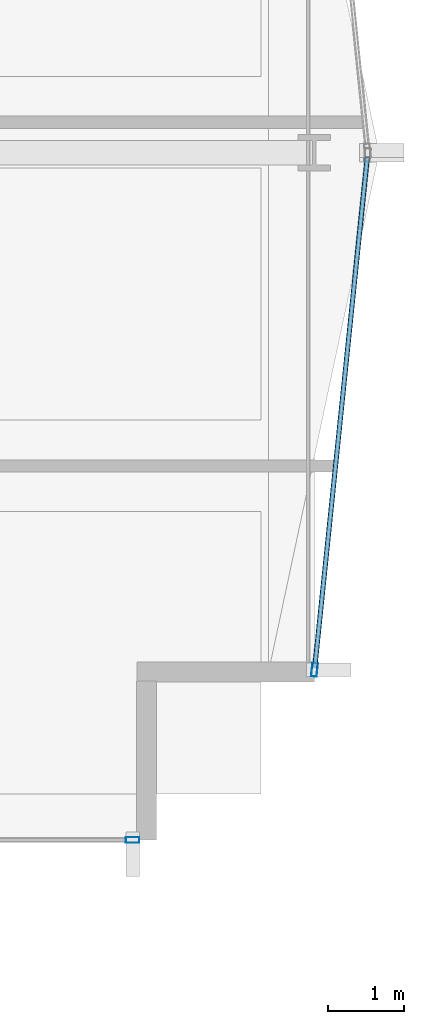
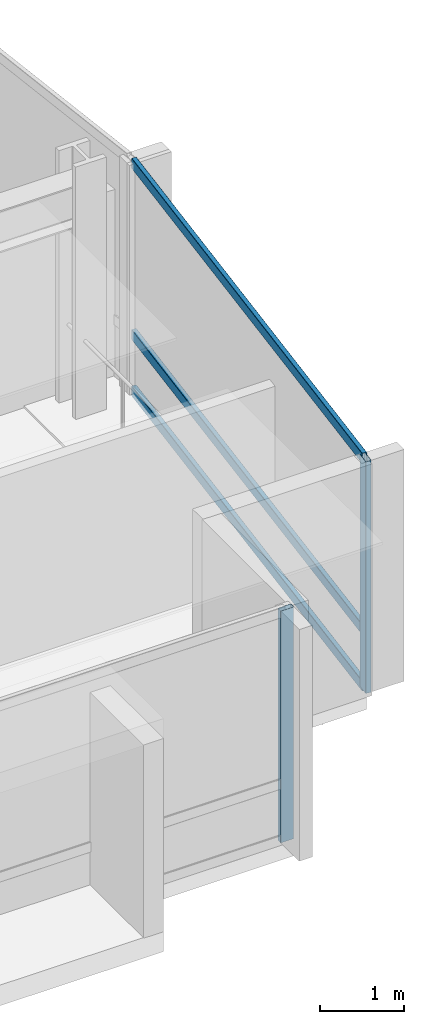
# One storey, part 14 of 35: 5 members, 2 elements without a shape of their own.
"""IFC4 building model written with IfcOpenShell, lengths in metres."""

from ifc_helpers import new_model, si_unit, direction, frame, origin, origin_2d, place, context, subcontext, project, spatial, hollow_rectangle, extrude, material, layer, layer_set, material_profile, profile_set, type_object, element, aggregate, save


model = new_model("IFC4")

# Units and contexts
model_context = context("Model", 3, precision=1e-05, world=origin(), true_north=direction((0.0, 1.0)))
body_context = subcontext(model_context, "Body", "Model", "MODEL_VIEW")
ifc_project = project(units=[si_unit("LENGTHUNIT", "METRE"), si_unit("AREAUNIT", "SQUARE_METRE"), si_unit("VOLUMEUNIT", "CUBIC_METRE"), si_unit("PLANEANGLEUNIT", "RADIAN"), si_unit("MASSUNIT", "GRAM", prefix="KILO")], contexts=[model_context])

# Site, building, storey
site_placement = place(None, origin())
site = spatial("IfcSite", under=ifc_project, at=site_placement, CompositionType="ELEMENT")
building_placement = place(site_placement, origin())
building = spatial("IfcBuilding", under=site, at=building_placement, Name="Solvaryn Broadcast Tower", CompositionType="ELEMENT")
storey_placement = place(building_placement, frame((0.0, 0.0, 80.39990234375)))
storey = spatial("IfcBuildingStorey", under=building, at=storey_placement, Name="L19", CompositionType="ELEMENT", Elevation=80.39990234375)

# Curtain wall, member
ifc_material_1 = material(Name="Aluminium and Terracotta Unitised Curtain Wall", Category="masonry")
ifc_layer = layer(ifc_material_1, 0.199951171875)
ifc_layer_set = layer_set([ifc_layer], Name="CW-SYS2-LOWMID")
curtain_wall_type = type_object("IfcCurtainWallType", Name="CW-SYS2-LOWMID", PredefinedType="NOTDEFINED", material=ifc_layer_set)
curtain_wall_1_placement = place(storey_placement, origin())
curtain_wall_1 = element("IfcCurtainWall", 1, at=curtain_wall_1_placement, inside=storey, type_object=curtain_wall_type, Name="L19 Curtain Wall S2", PredefinedType="NOTDEFINED")
ifc_material_2 = material(Name="Anodised Aluminium 6063-T6", Category="aluminium")
ifc_material_profile_1 = material_profile(ifc_material_2, hollow_rectangle(XDim=0.074951171875, YDim=0.179931640625, WallThickness=0.00390625, InnerFilletRadius=0.00390625, OuterFilletRadius=0.008056640625, at=origin_2d()))
ifc_profile_set_1 = profile_set([ifc_material_profile_1], Name="Anodised Aluminium 6063-T6")
member_type_1 = type_object("IfcMemberType", Name="CW-MUL-180", PredefinedType="MULLION", material=ifc_profile_set_1)
member_1_placement = place(storey_placement, frame((60.6201171875, 9.0, 0.0), z_axis=(0.0, 0.0, 1.0), x_axis=(0.0, 1.0, 0.0)))
member_1 = element("IfcMember", 2, at=member_1_placement, type_object=member_type_1, Name="CWS2 mullion 2", PredefinedType="MULLION", context=body_context, shape_type="SweptSolid", body=[
    extrude(hollow_rectangle(XDim=0.074951171875, YDim=0.179931640625, WallThickness=0.00390625, InnerFilletRadius=0.00390625, OuterFilletRadius=0.008056640625, at=origin_2d()), origin(), (0.0, 0.0, 1.0), 3.3701171875),
])
aggregate(curtain_wall_1, [member_1])

# Curtain wall, members
curtain_wall_2_placement = place(storey_placement, origin())
curtain_wall_2 = element("IfcCurtainWall", 3, at=curtain_wall_2_placement, inside=storey, type_object=curtain_wall_type, Name="L19 Curtain Wall ET2", PredefinedType="NOTDEFINED")
member_2_placement = place(storey_placement, frame((63.003173828125, 11.229736328125, 0.0), z_axis=(0.0, 0.0, 1.0), x_axis=(0.99474329889, -0.10240004548, 0.0)))
member_2 = element("IfcMember", 4, at=member_2_placement, type_object=member_type_1, Name="CWS2 mullion 2", PredefinedType="MULLION", context=body_context, shape_type="SweptSolid", body=[
    extrude(hollow_rectangle(XDim=0.074951171875, YDim=0.179931640625, WallThickness=0.00390625, InnerFilletRadius=0.00390625, OuterFilletRadius=0.008056640625, at=origin_2d()), origin(), (0.0, 0.0, 1.0), 3.3701171875),
])
ifc_material_3 = material(Name="Anodised Aluminium 6063-T6", Category="aluminium")
ifc_material_profile_2 = material_profile(ifc_material_3, hollow_rectangle(XDim=0.06494140625, YDim=0.14990234375, WallThickness=0.00390625, InnerFilletRadius=0.00390625, OuterFilletRadius=0.008056640625, at=origin_2d()))
ifc_profile_set_2 = profile_set([ifc_material_profile_2], Name="Anodised Aluminium 6063-T6")
member_type_2 = type_object("IfcMemberType", Name="CW-TRN-150", PredefinedType="USERDEFINED", material=ifc_profile_set_2)
member_3_placement = place(storey_placement, frame((63.69384765625, 17.9404296875, 0.030029296875), z_axis=(-0.102404277363, -0.994742863245, 0.0), x_axis=(0.994742863245, -0.102404277363, 0.0)))
member_3 = element("IfcMember", 5, at=member_3_placement, type_object=member_type_2, Name="CWS2 transom 1.1", ObjectType="TRANSOM", PredefinedType="USERDEFINED", context=body_context, shape_type="SweptSolid", body=[
    extrude(hollow_rectangle(XDim=0.06494140625, YDim=0.14990234375, WallThickness=0.00390625, InnerFilletRadius=0.00390625, OuterFilletRadius=0.008056640625, at=origin_2d()), origin(), (0.0, 0.0, 1.0), 6.716064453125),
])
member_4_placement = place(storey_placement, frame((63.69384765625, 17.9404296875, 0.85009765625), z_axis=(-0.102404277363, -0.994742863245, 0.0), x_axis=(0.994742863245, -0.102404277363, 0.0)))
member_4 = element("IfcMember", 6, at=member_4_placement, type_object=member_type_2, Name="CWS2 transom 1.2", ObjectType="TRANSOM", PredefinedType="USERDEFINED", context=body_context, shape_type="SweptSolid", body=[
    extrude(hollow_rectangle(XDim=0.06494140625, YDim=0.14990234375, WallThickness=0.00390625, InnerFilletRadius=0.00390625, OuterFilletRadius=0.008056640625, at=origin_2d()), origin(), (0.0, 0.0, 1.0), 6.716064453125),
])
member_5_placement = place(storey_placement, frame((63.69384765625, 17.9404296875, 3.340087890625), z_axis=(-0.102404277363, -0.994742863245, 0.0), x_axis=(0.994742863245, -0.102404277363, 0.0)))
member_5 = element("IfcMember", 7, at=member_5_placement, type_object=member_type_2, Name="CWS2 transom 1.3", ObjectType="TRANSOM", PredefinedType="USERDEFINED", context=body_context, shape_type="SweptSolid", body=[
    extrude(hollow_rectangle(XDim=0.06494140625, YDim=0.14990234375, WallThickness=0.00390625, InnerFilletRadius=0.00390625, OuterFilletRadius=0.008056640625, at=origin_2d()), origin(), (0.0, 0.0, 1.0), 6.716064453125),
])
aggregate(curtain_wall_2, [member_2, member_3, member_4, member_5])

save(model, "model.ifc")
